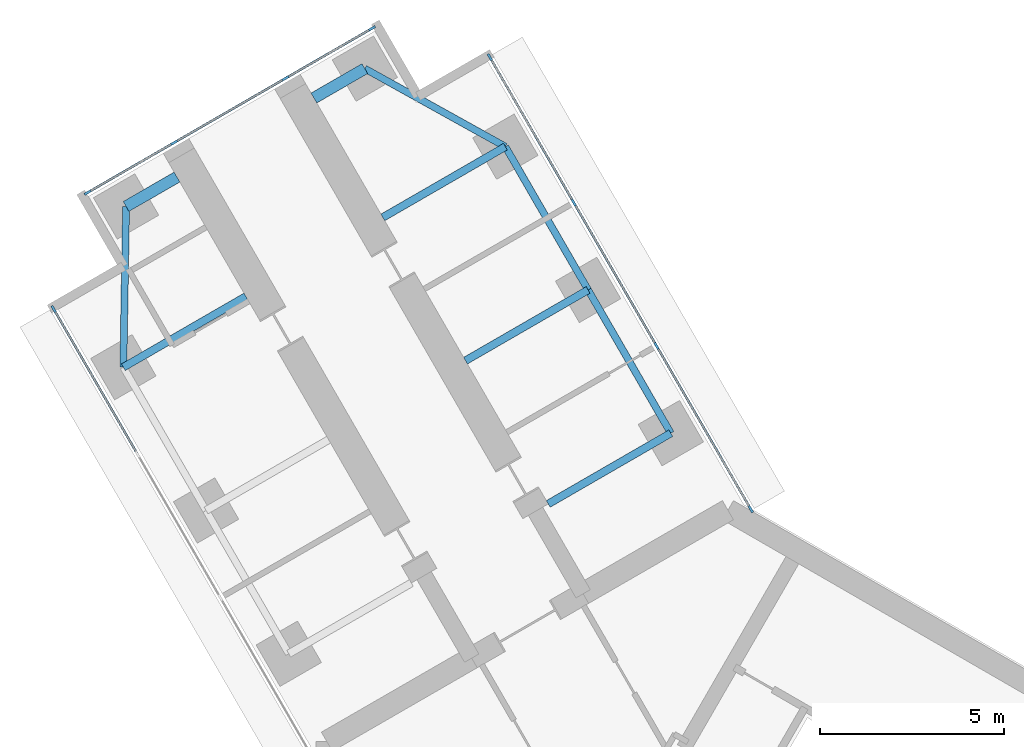
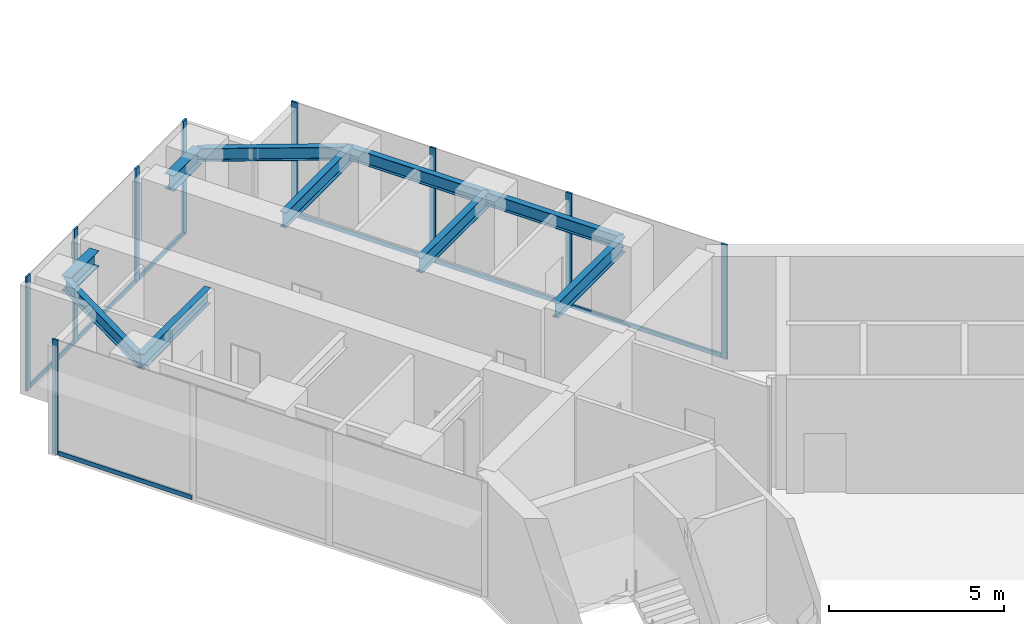
# One storey, part 6 of 22: 16 members, 10 beams, 3 elements without a shape of their own.
"""IFC4 building model written with IfcOpenShell, lengths in metres."""

from ifc_helpers import new_model, si_unit, direction, frame, origin, origin_2d, place, context, subcontext, project, spatial, rectangle, i_section, extrude, material, material_profile, profile_set, type_object, element, aggregate, save


model = new_model("IFC4")

# Units and contexts
model_context = context("Model", 3, precision=1e-05, world=origin(), true_north=direction((0.0, 1.0)))
body_context = subcontext(model_context, "Body", "Model", "MODEL_VIEW")
ifc_project = project(units=[si_unit("LENGTHUNIT", "METRE"), si_unit("AREAUNIT", "SQUARE_METRE"), si_unit("VOLUMEUNIT", "CUBIC_METRE"), si_unit("PLANEANGLEUNIT", "RADIAN"), si_unit("MASSUNIT", "GRAM", prefix="KILO")], contexts=[model_context])

# Site, building, storey
site_placement = place(None, origin())
site = spatial("IfcSite", under=ifc_project, at=site_placement, CompositionType="ELEMENT")
building_placement = place(site_placement, origin())
building = spatial("IfcBuilding", under=site, at=building_placement, Name="Upepo Twin Towers", CompositionType="ELEMENT")
storey_placement = place(building_placement, frame((0.0, 0.0, 125.5)))
storey = spatial("IfcBuildingStorey", under=building, at=storey_placement, Name="L30", CompositionType="ELEMENT", Elevation=125.5)

# Beams
ifc_material_1 = material(Name="Steel S355", Category="steel")
ifc_material_profile_1 = material_profile(ifc_material_1, i_section(OverallWidth=0.1904296875, OverallDepth=0.45703125, WebThickness=0.009033203125, FlangeThickness=0.014404296875, FilletRadius=0.01025390625, at=origin_2d()), Name="UB 457x191x74")
ifc_profile_set_1 = profile_set([ifc_material_profile_1], Name="Steel S355")
beam_type_1 = type_object("IfcBeamType", Name="Beam UB 457x191x74", PredefinedType="BEAM", material=ifc_profile_set_1)
beam_1_placement = place(storey_placement, frame((-16.446044921875, 16.485595703125, 3.571533203125), z_axis=(0.016803880528, 0.999858804832, 0.0), x_axis=(-0.999858804832, 0.016803880528, 0.0)))
element("IfcBeam", 1, at=beam_1_placement, inside=storey, type_object=beam_type_1, Name="T1 nose edge beam BL", PredefinedType="BEAM", context=body_context, shape_type="SweptSolid", body=[
    extrude(i_section(OverallWidth=0.1904296875, OverallDepth=0.45703125, WebThickness=0.009033203125, FlangeThickness=0.014404296875, FilletRadius=0.01025390625, at=origin_2d()), origin(), (0.0, 0.0, 1.0), 4.373291015625),
])
beam_2_placement = place(storey_placement, frame((-1.553955078125, 14.69140625, 3.571533203125), z_axis=(-0.500013631625, 0.866017533419, 0.0), x_axis=(-0.866017533419, -0.500013631625, 0.0)))
element("IfcBeam", 2, at=beam_2_placement, inside=storey, type_object=beam_type_1, Name="T1 edge beam BR 13.5-18.0", PredefinedType="BEAM", context=body_context, shape_type="SweptSolid", body=[
    extrude(i_section(OverallWidth=0.1904296875, OverallDepth=0.45703125, WebThickness=0.009033203125, FlangeThickness=0.014404296875, FilletRadius=0.01025390625, at=origin_2d()), origin(), (0.0, 0.0, 1.0), 4.499755859375),
])
beam_3_placement = place(storey_placement, frame((-3.803955078125, 18.58837890625, 3.571533203125), z_axis=(-0.499990139034, 0.866031096941, 0.0), x_axis=(-0.866031096941, -0.499990139034, 0.0)))
element("IfcBeam", 3, at=beam_3_placement, inside=storey, type_object=beam_type_1, Name="T1 edge beam BR 18.0-22.5", PredefinedType="BEAM", context=body_context, shape_type="SweptSolid", body=[
    extrude(i_section(OverallWidth=0.1904296875, OverallDepth=0.45703125, WebThickness=0.009033203125, FlangeThickness=0.014404296875, FilletRadius=0.01025390625, at=origin_2d()), origin(), (0.0, 0.0, 1.0), 4.5),
])
beam_4_placement = place(storey_placement, frame((-6.053955078125, 22.485595703125, 3.571533203125), z_axis=(-0.874312600038, 0.485363242752, 0.0), x_axis=(-0.485363242752, -0.874312600038, 0.0)))
element("IfcBeam", 4, at=beam_4_placement, inside=storey, type_object=beam_type_1, Name="T1 nose edge beam BR", PredefinedType="BEAM", context=body_context, shape_type="SweptSolid", body=[
    extrude(i_section(OverallWidth=0.1904296875, OverallDepth=0.45703125, WebThickness=0.009033203125, FlangeThickness=0.014404296875, FilletRadius=0.01025390625, at=origin_2d()), origin(), (0.0, 0.0, 1.0), 4.373046875),
])
ifc_material_2 = material(Name="Steel S355", Category="steel")
ifc_material_profile_2 = material_profile(ifc_material_2, i_section(OverallWidth=0.209228515625, OverallDepth=0.533203125, WebThickness=0.010009765625, FlangeThickness=0.015625, FilletRadius=0.0126953125, at=origin_2d()), Name="UB 533x210x92")
ifc_profile_set_2 = profile_set([ifc_material_profile_2], Name="Steel S355")
beam_type_2 = type_object("IfcBeamType", Name="Beam UB 533x210x92", PredefinedType="BEAM", material=ifc_profile_set_2)
for number, where, z_axis, x_axis, name in (
    (5, (-16.446044921875, 16.485595703125, 3.533447265625), (0.866006051527, 0.500033517596, 0.0), (-0.500033517596, 0.866006051527, 0.0), "T1 girder BL at 22.5"),
    (6, (-1.553955078125, 14.69140625, 3.533447265625), (-0.866006051527, -0.500033517596, 0.0), (0.500033517596, -0.866006051527, 0.0), "T1 girder BR at 13.5"),
):
    element("IfcBeam", number, at=place(storey_placement, frame(where, z_axis=z_axis, x_axis=x_axis)), inside=storey, type_object=beam_type_2, Name=name, PredefinedType="BEAM", context=body_context, shape_type="SweptSolid", body=[
        extrude(i_section(OverallWidth=0.209228515625, OverallDepth=0.533203125, WebThickness=0.010009765625, FlangeThickness=0.015625, FilletRadius=0.0126953125, at=origin_2d()), origin(), (0.0, 0.0, 1.0), 3.849853515625),
    ])
beam_5_placement = place(storey_placement, frame((-3.803955078125, 18.58837890625, 3.533447265625), z_axis=(-0.866033512162, -0.499985955615, 0.0), x_axis=(0.499985955615, -0.866033512162, 0.0)))
element("IfcBeam", 7, at=beam_5_placement, inside=storey, type_object=beam_type_2, Name="T1 girder BR at 18.0", PredefinedType="BEAM", context=body_context, shape_type="SweptSolid", body=[
    extrude(i_section(OverallWidth=0.209228515625, OverallDepth=0.533203125, WebThickness=0.010009765625, FlangeThickness=0.015625, FilletRadius=0.0126953125, at=origin_2d()), origin(), (0.0, 0.0, 1.0), 3.849609375),
])
beam_6_placement = place(storey_placement, frame((-6.053955078125, 22.485595703125, 3.533447265625), z_axis=(-0.866006051527, -0.500033517596, 0.0), x_axis=(0.500033517596, -0.866006051527, 0.0)))
element("IfcBeam", 8, at=beam_6_placement, inside=storey, type_object=beam_type_2, Name="T1 girder BR at 22.5", PredefinedType="BEAM", context=body_context, shape_type="SweptSolid", body=[
    extrude(i_section(OverallWidth=0.209228515625, OverallDepth=0.533203125, WebThickness=0.010009765625, FlangeThickness=0.015625, FilletRadius=0.0126953125, at=origin_2d()), origin(), (0.0, 0.0, 1.0), 3.849853515625),
])
ifc_material_3 = material(Name="Steel S355", Category="steel")
ifc_material_profile_3 = material_profile(ifc_material_3, i_section(OverallWidth=0.31201171875, OverallDepth=0.54345703125, WebThickness=0.0126953125, FlangeThickness=0.020263671875, FilletRadius=0.0126953125, at=origin_2d()), Name="UB 533x312x150")
ifc_profile_set_3 = profile_set([ifc_material_profile_3], Name="Steel S355")
beam_type_3 = type_object("IfcBeamType", Name="Beam UB 533x312x150", PredefinedType="BEAM", material=ifc_profile_set_3)
for number, where, z_axis, x_axis, name in (
    (9, (-16.37255859375, 20.858154296875, 3.5283203125), (0.865989903783, 0.500061482766, 0.0), (-0.500061482766, 0.865989903783, 0.0), "T1 nose beam BL"),
    (10, (-9.87744140625, 24.608154296875, 3.5283203125), (-0.865989903783, -0.500061482766, 0.0), (0.500061482766, -0.865989903783, 0.0), "T1 nose beam BR"),
):
    element("IfcBeam", number, at=place(storey_placement, frame(where, z_axis=z_axis, x_axis=x_axis)), inside=storey, type_object=beam_type_3, Name=name, PredefinedType="BEAM", context=body_context, shape_type="SweptSolid", body=[
        extrude(i_section(OverallWidth=0.31201171875, OverallDepth=0.54345703125, WebThickness=0.0126953125, FlangeThickness=0.020263671875, FilletRadius=0.0126953125, at=origin_2d()), origin(), (0.0, 0.0, 1.0), 1.599853515625),
    ])

# Curtain wall, member
ifc_material_4 = material(Name="Aluminium and fritted glass", Category="aluminium")
curtain_wall_type = type_object("IfcCurtainWallType", Name="Tower curtain wall TW2, fritted glass", PredefinedType="NOTDEFINED", material=ifc_material_4)
curtain_wall_1_placement = place(storey_placement, origin())
curtain_wall_1 = element("IfcCurtainWall", 11, at=curtain_wall_1_placement, inside=storey, type_object=curtain_wall_type, Name="T1 L30 wing B flank L curtain wall", PredefinedType="NOTDEFINED")
ifc_material_5 = material(Name="Aluminium mullion", Category="aluminium")
ifc_material_profile_4 = material_profile(ifc_material_5, rectangle(XDim=0.06494140625, YDim=0.199951171875, at=origin_2d()), Name="MULLION 65x200")
ifc_profile_set_4 = profile_set([ifc_material_profile_4], Name="Aluminium mullion")
member_type_1 = type_object("IfcMemberType", Name="Mullion 65x200 TW2", PredefinedType="MULLION", material=ifc_profile_set_4)
member_1_placement = place(storey_placement, frame((-18.341064453125, 18.067626953125, 0.0), z_axis=(0.0, 0.0, 1.0), x_axis=(-0.866025397833, -0.500000010308, 0.0)))
member_1 = element("IfcMember", 12, at=member_1_placement, type_object=member_type_1, Name="T1 L30 wing B flank L curtain wall mullion 4", PredefinedType="MULLION", context=body_context, shape_type="SweptSolid", body=[
    extrude(rectangle(XDim=0.06494140625, YDim=0.199951171875, at=origin_2d()), origin(), (0.0, 0.0, 1.0), 4.0),
])

# Curtain wall, members
curtain_wall_2_placement = place(storey_placement, origin())
curtain_wall_2 = element("IfcCurtainWall", 13, at=curtain_wall_2_placement, inside=storey, type_object=curtain_wall_type, Name="T1 L30 wing B flank R curtain wall", PredefinedType="NOTDEFINED")
member_2_placement = place(storey_placement, frame((-6.4765625, 24.91748046875, 0.0), z_axis=(0.0, 0.0, 1.0), x_axis=(0.866025397833, 0.500000010308, 0.0)))
member_2 = element("IfcMember", 14, at=member_2_placement, type_object=member_type_1, Name="T1 L30 wing B flank R curtain wall mullion 1", PredefinedType="MULLION", context=body_context, shape_type="SweptSolid", body=[
    extrude(rectangle(XDim=0.06494140625, YDim=0.199951171875, at=origin_2d()), origin(), (0.0, 0.0, 1.0), 4.0),
])
member_3_placement = place(storey_placement, frame((-4.192626953125, 20.9619140625, 0.0), z_axis=(0.0, 0.0, 1.0), x_axis=(0.866025397833, 0.500000010308, 0.0)))
member_3 = element("IfcMember", 15, at=member_3_placement, type_object=member_type_1, Name="T1 L30 wing B flank R curtain wall mullion 2", PredefinedType="MULLION", context=body_context, shape_type="SweptSolid", body=[
    extrude(rectangle(XDim=0.06494140625, YDim=0.199951171875, at=origin_2d()), origin(), (0.0, 0.0, 1.0), 4.0),
])
member_4_placement = place(storey_placement, frame((-1.942626953125, 17.06494140625, 0.0), z_axis=(0.0, 0.0, 1.0), x_axis=(0.866025397833, 0.500000010308, 0.0)))
member_4 = element("IfcMember", 16, at=member_4_placement, type_object=member_type_1, Name="T1 L30 wing B flank R curtain wall mullion 3", PredefinedType="MULLION", context=body_context, shape_type="SweptSolid", body=[
    extrude(rectangle(XDim=0.06494140625, YDim=0.199951171875, at=origin_2d()), origin(), (0.0, 0.0, 1.0), 4.0),
])
member_5_placement = place(storey_placement, frame((0.62255859375, 12.621826171875, 0.0), z_axis=(0.0, 0.0, 1.0), x_axis=(0.866025397833, 0.500000010308, 0.0)))
member_5 = element("IfcMember", 17, at=member_5_placement, type_object=member_type_1, Name="T1 L30 wing B flank R curtain wall mullion 4", PredefinedType="MULLION", context=body_context, shape_type="SweptSolid", body=[
    extrude(rectangle(XDim=0.06494140625, YDim=0.199951171875, at=origin_2d()), origin(), (0.0, 0.0, 1.0), 4.0),
])

curtain_wall_3_placement = place(storey_placement, origin())
curtain_wall_3 = element("IfcCurtainWall", 18, at=curtain_wall_3_placement, inside=storey, type_object=curtain_wall_type, Name="T1 L30 wing B nose curtain wall", PredefinedType="NOTDEFINED")
member_6_placement = place(storey_placement, frame((-9.68115234375, 25.703125, 0.0), z_axis=(0.0, 0.0, 1.0), x_axis=(0.500000030502, -0.866025386174, 0.0)))
member_6 = element("IfcMember", 19, at=member_6_placement, type_object=member_type_1, Name="T1 L30 wing B nose curtain wall mullion 1", PredefinedType="MULLION", context=body_context, shape_type="SweptSolid", body=[
    extrude(rectangle(XDim=0.06494140625, YDim=0.199951171875, at=origin_2d()), origin(), (0.0, 0.0, 1.0), 4.0),
])
member_7_placement = place(storey_placement, frame((-12.034423828125, 24.34423828125, 0.0), z_axis=(0.0, 0.0, 1.0), x_axis=(0.500000030502, -0.866025386174, 0.0)))
member_7 = element("IfcMember", 20, at=member_7_placement, type_object=member_type_1, Name="T1 L30 wing B nose curtain wall mullion 2", PredefinedType="MULLION", context=body_context, shape_type="SweptSolid", body=[
    extrude(rectangle(XDim=0.06494140625, YDim=0.199951171875, at=origin_2d()), origin(), (0.0, 0.0, 1.0), 4.0),
])
member_8_placement = place(storey_placement, frame((-15.0654296875, 22.59423828125, 0.0), z_axis=(0.0, 0.0, 1.0), x_axis=(0.500000030502, -0.866025386174, 0.0)))
member_8 = element("IfcMember", 21, at=member_8_placement, type_object=member_type_1, Name="T1 L30 wing B nose curtain wall mullion 3", PredefinedType="MULLION", context=body_context, shape_type="SweptSolid", body=[
    extrude(rectangle(XDim=0.06494140625, YDim=0.199951171875, at=origin_2d()), origin(), (0.0, 0.0, 1.0), 4.0),
])
member_9_placement = place(storey_placement, frame((-17.4189453125, 21.235595703125, 0.0), z_axis=(0.0, 0.0, 1.0), x_axis=(0.500000030502, -0.866025386174, 0.0)))
member_9 = element("IfcMember", 22, at=member_9_placement, type_object=member_type_1, Name="T1 L30 wing B nose curtain wall mullion 4", PredefinedType="MULLION", context=body_context, shape_type="SweptSolid", body=[
    extrude(rectangle(XDim=0.06494140625, YDim=0.199951171875, at=origin_2d()), origin(), (0.0, 0.0, 1.0), 4.0),
])

# Member
ifc_material_6 = material(Name="Aluminium transom", Category="aluminium")
ifc_material_profile_5 = material_profile(ifc_material_6, rectangle(XDim=0.06494140625, YDim=0.14990234375, at=origin_2d()), Name="TRANSOM 65x150")
ifc_profile_set_5 = profile_set([ifc_material_profile_5], Name="Aluminium transom")
member_type_2 = type_object("IfcMemberType", Name="Transom 65x150 TW2", PredefinedType="USERDEFINED", material=ifc_profile_set_5)
member_10_placement = place(storey_placement, frame((-16.073486328125, 14.14013671875, 0.074951171875), z_axis=(-0.499982167615, 0.866035699072, 0.0), x_axis=(-0.866035699072, -0.499982167615, 0.0)))
member_10 = element("IfcMember", 23, at=member_10_placement, type_object=member_type_2, Name="T1 L30 wing B flank L curtain wall transom 3", ObjectType="TRANSOM", PredefinedType="USERDEFINED", context=body_context, shape_type="SweptSolid", body=[
    extrude(rectangle(XDim=0.06494140625, YDim=0.14990234375, at=origin_2d()), origin(), (0.0, 0.0, 1.0), 4.502685546875),
])

aggregate(curtain_wall_1, [member_1, member_10])

member_11_placement = place(storey_placement, frame((-6.460205078125, 24.889404296875, 0.074951171875), z_axis=(0.500005646842, -0.866022143554, 0.0), x_axis=(0.866022143554, 0.500005646842, 0.0)))
member_11 = element("IfcMember", 24, at=member_11_placement, type_object=member_type_2, Name="T1 L30 wing B flank R curtain wall transom 1", ObjectType="TRANSOM", PredefinedType="USERDEFINED", context=body_context, shape_type="SweptSolid", body=[
    extrude(rectangle(XDim=0.06494140625, YDim=0.14990234375, at=origin_2d()), origin(), (0.0, 0.0, 1.0), 4.50244140625),
])

member_12_placement = place(storey_placement, frame((-4.176513671875, 20.933837890625, 0.074951171875), z_axis=(0.500005184116, -0.866022410713, 0.0), x_axis=(0.866022410713, 0.500005184116, 0.0)))
member_12 = element("IfcMember", 25, at=member_12_placement, type_object=member_type_2, Name="T1 L30 wing B flank R curtain wall transom 2", ObjectType="TRANSOM", PredefinedType="USERDEFINED", context=body_context, shape_type="SweptSolid", body=[
    extrude(rectangle(XDim=0.06494140625, YDim=0.14990234375, at=origin_2d()), origin(), (0.0, 0.0, 1.0), 4.43505859375),
])

member_13_placement = place(storey_placement, frame((-1.926513671875, 17.036865234375, 0.074951171875), z_axis=(0.499985288567, -0.866033897268, 0.0), x_axis=(0.866033897268, 0.499985288567, 0.0)))
member_13 = element("IfcMember", 26, at=member_13_placement, type_object=member_type_2, Name="T1 L30 wing B flank R curtain wall transom 3", ObjectType="TRANSOM", PredefinedType="USERDEFINED", context=body_context, shape_type="SweptSolid", body=[
    extrude(rectangle(XDim=0.06494140625, YDim=0.14990234375, at=origin_2d()), origin(), (0.0, 0.0, 1.0), 5.065673828125),
])

aggregate(curtain_wall_2, [member_2, member_3, member_4, member_5, member_11, member_12, member_13])

member_14_placement = place(storey_placement, frame((-9.709228515625, 25.686767578125, 0.074951171875), z_axis=(-0.866036909293, -0.499980071345, 0.0), x_axis=(0.499980071345, -0.866036909293, 0.0)))
member_14 = element("IfcMember", 27, at=member_14_placement, type_object=member_type_2, Name="T1 L30 wing B nose curtain wall transom 1", ObjectType="TRANSOM", PredefinedType="USERDEFINED", context=body_context, shape_type="SweptSolid", body=[
    extrude(rectangle(XDim=0.06494140625, YDim=0.14990234375, at=origin_2d()), origin(), (0.0, 0.0, 1.0), 2.65234375),
])

member_15_placement = place(storey_placement, frame((-12.0625, 24.328125, 0.074951171875), z_axis=(-0.866025804792, -0.499999305434, 0.0), x_axis=(0.499999305434, -0.866025804792, 0.0)))
member_15 = element("IfcMember", 28, at=member_15_placement, type_object=member_type_2, Name="T1 L30 wing B nose curtain wall transom 2", ObjectType="TRANSOM", PredefinedType="USERDEFINED", context=body_context, shape_type="SweptSolid", body=[
    extrude(rectangle(XDim=0.06494140625, YDim=0.14990234375, at=origin_2d()), origin(), (0.0, 0.0, 1.0), 3.43505859375),
])

member_16_placement = place(storey_placement, frame((-15.09375, 22.578125, 0.074951171875), z_axis=(-0.865997053448, -0.500049101008, 0.0), x_axis=(0.500049101008, -0.865997053448, 0.0)))
member_16 = element("IfcMember", 29, at=member_16_placement, type_object=member_type_2, Name="T1 L30 wing B nose curtain wall transom 3", ObjectType="TRANSOM", PredefinedType="USERDEFINED", context=body_context, shape_type="SweptSolid", body=[
    extrude(rectangle(XDim=0.06494140625, YDim=0.14990234375, at=origin_2d()), origin(), (0.0, 0.0, 1.0), 2.652587890625),
])

aggregate(curtain_wall_3, [member_6, member_7, member_8, member_9, member_14, member_15, member_16])

save(model, "model.ifc")
